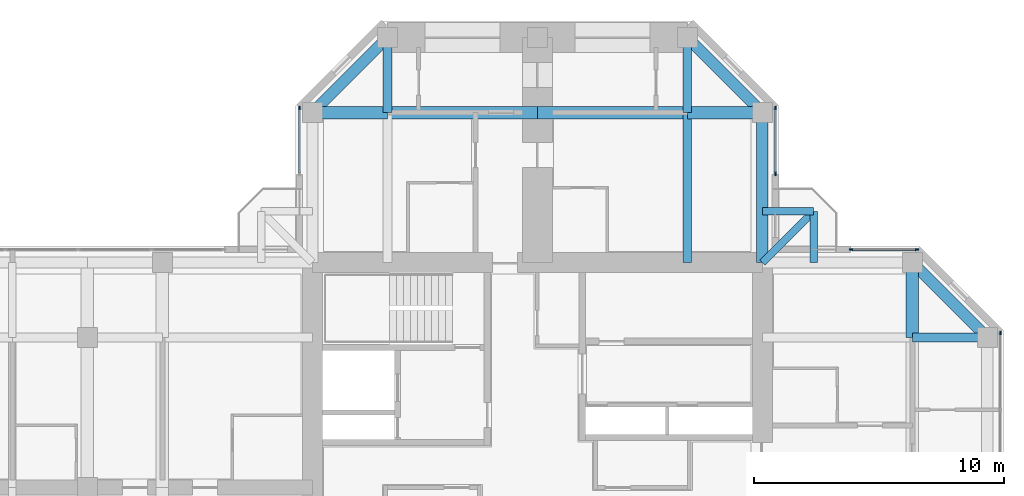
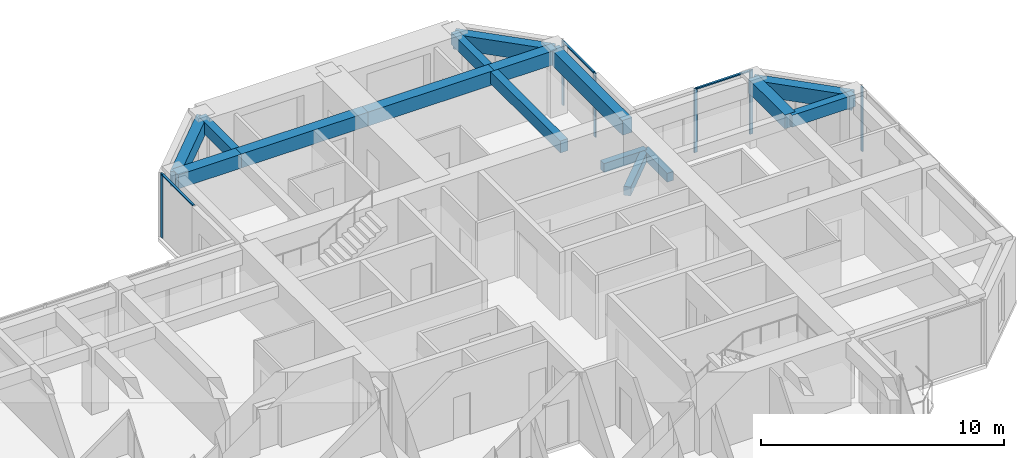
# One storey, part 6 of 14: 16 beams, 9 members, 4 elements without a shape of their own.
"""IFC4 building model written with IfcOpenShell, lengths in metres."""

from ifc_helpers import new_model, si_unit, direction, frame, origin, origin_2d, place, context, subcontext, project, spatial, rectangle, extrude, material, material_profile, profile_set, type_object, element, aggregate, save


model = new_model("IFC4")

# Units and contexts
model_context = context("Model", 3, precision=1e-05, world=origin(), true_north=direction((0.0, 1.0)))
body_context = subcontext(model_context, "Body", "Model", "MODEL_VIEW")
ifc_project = project(units=[si_unit("LENGTHUNIT", "METRE"), si_unit("AREAUNIT", "SQUARE_METRE"), si_unit("VOLUMEUNIT", "CUBIC_METRE"), si_unit("PLANEANGLEUNIT", "RADIAN"), si_unit("MASSUNIT", "GRAM", prefix="KILO")], contexts=[model_context])

# Site, building, storey
site_placement = place(None, origin())
site = spatial("IfcSite", under=ifc_project, at=site_placement, CompositionType="ELEMENT")
building_placement = place(site_placement, origin())
building = spatial("IfcBuilding", under=site, at=building_placement, Name="Torre Cruceta", CompositionType="ELEMENT")
storey_placement = place(building_placement, frame((0.0, 0.0, 225.5)))
storey = spatial("IfcBuildingStorey", under=building, at=storey_placement, Name="L57", CompositionType="ELEMENT", Elevation=225.5)

# Beams
ifc_material_1 = material(Name="Concrete G60 (fck 60 MPa)", Category="concrete")
ifc_material_profile_1 = material_profile(ifc_material_1, rectangle(XDim=0.300048828125, YDim=0.449951171875, at=origin_2d()), Name="RC 300X450")
ifc_profile_set_1 = profile_set([ifc_material_profile_1], Name="Concrete G60 (fck 60 MPa)")
beam_type_1 = type_object("IfcBeamType", Name="BALCONY CANTILEVER BEAM RC 300X450", PredefinedType="BEAM", material=ifc_profile_set_1)
beam_1_placement = place(storey_placement, frame((9.0, 9.0, -0.405029296875), z_axis=(0.707106781187, 0.707106781187, 0.0), x_axis=(-0.707106781187, 0.707106781187, 0.0)))
element("IfcBeam", 1, at=beam_1_placement, inside=storey, type_object=beam_type_1, Name="BB1 balcony beam L57 E", PredefinedType="BEAM", context=body_context, shape_type="SweptSolid", body=[
    extrude(rectangle(XDim=0.300048828125, YDim=0.449951171875, at=origin_2d()), origin(), (0.0, 0.0, 1.0), 2.89990234375),
])
for number, where, z_axis, x_axis, name in (
    (2, (11.050537109375, 9.0, -0.405029296875), (0.0, 1.0, 0.0), (-1.0, 0.0, 0.0), "BB1 balcony edge beam L57 E-X"),
    (3, (9.0, 11.050537109375, -0.405029296875), (1.0, 0.0, 0.0), (0.0, 1.0, 0.0), "BB1 balcony edge beam L57 E-Y"),
):
    element("IfcBeam", number, at=place(storey_placement, frame(where, z_axis=z_axis, x_axis=x_axis)), inside=storey, type_object=beam_type_1, Name=name, PredefinedType="BEAM", context=body_context, shape_type="SweptSolid", body=[
        extrude(rectangle(XDim=0.300048828125, YDim=0.449951171875, at=origin_2d()), origin(), (0.0, 0.0, 1.0), 2.050537109375),
    ])
ifc_material_2 = material(Name="Concrete G60 (fck 60 MPa)", Category="concrete")
ifc_material_profile_2 = material_profile(ifc_material_2, rectangle(XDim=0.35009765625, YDim=0.60009765625, at=origin_2d()), Name="RC 350X600")
ifc_profile_set_2 = profile_set([ifc_material_profile_2], Name="Concrete G60 (fck 60 MPa)")
beam_type_2 = type_object("IfcBeamType", Name="COLUMN LINE BEAM RC 350X600", PredefinedType="BEAM", material=ifc_profile_set_2)
beam_2_placement = place(storey_placement, frame((6.0, 9.0, 2.919921875), z_axis=(0.0, 1.0, 0.0), x_axis=(-1.0, 0.0, 0.0)))
element("IfcBeam", 4, at=beam_2_placement, inside=storey, type_object=beam_type_2, Name="LB9 L57 N col- 1", PredefinedType="BEAM", context=body_context, shape_type="SweptSolid", body=[
    extrude(rectangle(XDim=0.35009765625, YDim=0.60009765625, at=origin_2d()), origin(), (0.0, 0.0, 1.0), 6.0),
])
for number, where, z_axis, x_axis, name in (
    (5, (6.0, 15.0, 2.919921875), (0.0, 1.0, 0.0), (-1.0, 0.0, 0.0), "LB9 L57 N col- 2"),
    (6, (-6.0, 15.0, 2.919921875), (0.0, 1.0, 0.0), (-1.0, 0.0, 0.0), "LB9 L57 N col+ 2"),
    (7, (15.0, 6.0, 2.919921875), (1.0, 0.0, 0.0), (0.0, 1.0, 0.0), "LB9 L57 E col+ 2"),
):
    element("IfcBeam", number, at=place(storey_placement, frame(where, z_axis=z_axis, x_axis=x_axis)), inside=storey, type_object=beam_type_2, Name=name, PredefinedType="BEAM", context=body_context, shape_type="SweptSolid", body=[
        extrude(rectangle(XDim=0.35009765625, YDim=0.60009765625, at=origin_2d()), origin(), (0.0, 0.0, 1.0), 3.0),
    ])
ifc_material_3 = material(Name="Concrete G60 (fck 60 MPa)", Category="concrete")
ifc_material_profile_3 = material_profile(ifc_material_3, rectangle(XDim=0.5, YDim=0.699951171875, at=origin_2d()), Name="RC 500X700")
ifc_profile_set_3 = profile_set([ifc_material_profile_3], Name="Concrete G60 (fck 60 MPa)")
beam_type_3 = type_object("IfcBeamType", Name="CROSS BEAM RC 500X700", PredefinedType="BEAM", material=ifc_profile_set_3)
beam_3_placement = place(storey_placement, frame((9.0, 15.0, 2.8701171875), z_axis=(-1.0, 0.0, 0.0), x_axis=(0.0, -1.0, 0.0)))
element("IfcBeam", 8, at=beam_3_placement, inside=storey, type_object=beam_type_3, Name="GB7 L57 N cross15 1", PredefinedType="BEAM", context=body_context, shape_type="SweptSolid", body=[
    extrude(rectangle(XDim=0.5, YDim=0.699951171875, at=origin_2d()), origin(), (0.0, 0.0, 1.0), 3.0),
])
for number, where, z_axis, x_axis, name in (
    (9, (6.0, 15.0, 2.8701171875), (-1.0, 0.0, 0.0), (0.0, -1.0, 0.0), "GB7 L57 N cross15 2"),
    (10, (0.0, 15.0, 2.8701171875), (-1.0, 0.0, 0.0), (0.0, -1.0, 0.0), "GB7 L57 N cross15 3"),
):
    element("IfcBeam", number, at=place(storey_placement, frame(where, z_axis=z_axis, x_axis=x_axis)), inside=storey, type_object=beam_type_3, Name=name, PredefinedType="BEAM", context=body_context, shape_type="SweptSolid", body=[
        extrude(rectangle(XDim=0.5, YDim=0.699951171875, at=origin_2d()), origin(), (0.0, 0.0, 1.0), 6.0),
    ])
for number, where, z_axis, x_axis, name in (
    (11, (-6.0, 15.0, 2.8701171875), (-1.0, 0.0, 0.0), (0.0, -1.0, 0.0), "GB7 L57 N cross15 4"),
    (12, (15.0, 6.0, 2.8701171875), (0.0, 1.0, 0.0), (-1.0, 0.0, 0.0), "GB7 L57 E cross15 4"),
):
    element("IfcBeam", number, at=place(storey_placement, frame(where, z_axis=z_axis, x_axis=x_axis)), inside=storey, type_object=beam_type_3, Name=name, PredefinedType="BEAM", context=body_context, shape_type="SweptSolid", body=[
        extrude(rectangle(XDim=0.5, YDim=0.699951171875, at=origin_2d()), origin(), (0.0, 0.0, 1.0), 3.0),
    ])

# Curtain wall, member
ifc_material_4 = material(Name="Aluminium unitised curtain wall", Category="aluminium")
curtain_wall_type = type_object("IfcCurtainWallType", Name="CURTAIN WALL CW-D CO-LIVING UPPER", PredefinedType="USERDEFINED", material=ifc_material_4)
curtain_wall_1_placement = place(storey_placement, origin())
curtain_wall_1 = element("IfcCurtainWall", 13, at=curtain_wall_1_placement, inside=storey, type_object=curtain_wall_type, Name="CW-D L57 E tip 02", ObjectType="UNITISED", PredefinedType="USERDEFINED")
ifc_material_5 = material(Name="Aluminium mullion", Category="aluminium")
ifc_material_profile_4 = material_profile(ifc_material_5, rectangle(XDim=0.06005859375, YDim=0.14990234375, at=origin_2d()), Name="AL 60X150")
ifc_profile_set_4 = profile_set([ifc_material_profile_4], Name="Aluminium mullion")
member_type_1 = type_object("IfcMemberType", Name="CW-D MULLION 60X150", PredefinedType="MULLION", material=ifc_profile_set_4)
member_1_placement = place(storey_placement, frame((18.52001953125, 6.185302734375, 0.0), z_axis=(0.0, 0.0, 1.0), x_axis=(-1.0, 0.0, 0.0)))
member_1 = element("IfcMember", 14, at=member_1_placement, type_object=member_type_1, Name="CW-D mullion 5", PredefinedType="MULLION", context=body_context, shape_type="SweptSolid", body=[
    extrude(rectangle(XDim=0.06005859375, YDim=0.14990234375, at=origin_2d()), origin(), (0.0, 0.0, 1.0), 3.219970703125),
])
aggregate(curtain_wall_1, [member_1])

# Curtain wall, members
curtain_wall_2_placement = place(storey_placement, origin())
curtain_wall_2 = element("IfcCurtainWall", 15, at=curtain_wall_2_placement, inside=storey, type_object=curtain_wall_type, Name="CW-D L57 E side 04", ObjectType="UNITISED", PredefinedType="USERDEFINED")
member_2_placement = place(storey_placement, frame((15.185302734375, 9.52001953125, 0.0), z_axis=(0.0, 0.0, 1.0), x_axis=(0.0, -1.0, 0.0)))
member_2 = element("IfcMember", 16, at=member_2_placement, type_object=member_type_1, Name="CW-D mullion 1", PredefinedType="MULLION", context=body_context, shape_type="SweptSolid", body=[
    extrude(rectangle(XDim=0.06005859375, YDim=0.14990234375, at=origin_2d()), origin(), (0.0, 0.0, 1.0), 3.219970703125),
])
member_3_placement = place(storey_placement, frame((12.550048828125, 9.52001953125, 0.0), z_axis=(0.0, 0.0, 1.0), x_axis=(0.0, -1.0, 0.0)))
member_3 = element("IfcMember", 17, at=member_3_placement, type_object=member_type_1, Name="CW-D mullion 2", PredefinedType="MULLION", context=body_context, shape_type="SweptSolid", body=[
    extrude(rectangle(XDim=0.06005859375, YDim=0.14990234375, at=origin_2d()), origin(), (0.0, 0.0, 1.0), 3.219970703125),
])

curtain_wall_3_placement = place(storey_placement, origin())
curtain_wall_3 = element("IfcCurtainWall", 18, at=curtain_wall_3_placement, inside=storey, type_object=curtain_wall_type, Name="CW-D L57 N side 05", ObjectType="UNITISED", PredefinedType="USERDEFINED")
member_4_placement = place(storey_placement, frame((9.52001953125, 12.550048828125, 0.0), z_axis=(0.0, 0.0, 1.0), x_axis=(-1.0, 0.0, 0.0)))
member_4 = element("IfcMember", 19, at=member_4_placement, type_object=member_type_1, Name="CW-D mullion 1", PredefinedType="MULLION", context=body_context, shape_type="SweptSolid", body=[
    extrude(rectangle(XDim=0.06005859375, YDim=0.14990234375, at=origin_2d()), origin(), (0.0, 0.0, 1.0), 3.219970703125),
])
member_5_placement = place(storey_placement, frame((9.52001953125, 15.185302734375, 0.0), z_axis=(0.0, 0.0, 1.0), x_axis=(-1.0, 0.0, 0.0)))
member_5 = element("IfcMember", 20, at=member_5_placement, type_object=member_type_1, Name="CW-D mullion 2", PredefinedType="MULLION", context=body_context, shape_type="SweptSolid", body=[
    extrude(rectangle(XDim=0.06005859375, YDim=0.14990234375, at=origin_2d()), origin(), (0.0, 0.0, 1.0), 3.219970703125),
])

# Curtain wall, member
curtain_wall_4_placement = place(storey_placement, origin())
curtain_wall_4 = element("IfcCurtainWall", 21, at=curtain_wall_4_placement, inside=storey, type_object=curtain_wall_type, Name="CW-D L57 N side 09", ObjectType="UNITISED", PredefinedType="USERDEFINED")
member_6_placement = place(storey_placement, frame((-9.52001953125, 15.185302734375, 0.0), z_axis=(0.0, 0.0, 1.0), x_axis=(1.0, 0.0, 0.0)))
member_6 = element("IfcMember", 22, at=member_6_placement, type_object=member_type_1, Name="CW-D mullion 1", PredefinedType="MULLION", context=body_context, shape_type="SweptSolid", body=[
    extrude(rectangle(XDim=0.06005859375, YDim=0.14990234375, at=origin_2d()), origin(), (0.0, 0.0, 1.0), 3.219970703125),
])

# Member
ifc_material_6 = material(Name="Aluminium transom", Category="aluminium")
ifc_material_profile_5 = material_profile(ifc_material_6, rectangle(XDim=0.10009765625, YDim=0.06005859375, at=origin_2d()), Name="AL 100X60")
ifc_profile_set_5 = profile_set([ifc_material_profile_5], Name="Aluminium transom")
member_type_2 = type_object("IfcMemberType", Name="CW-D TRANSOM 60X100", PredefinedType="USERDEFINED", material=ifc_profile_set_5)
member_7_placement = place(storey_placement, frame((15.1552734375, 9.52001953125, 3.18994140625), z_axis=(-1.0, 0.0, 0.0), x_axis=(0.0, -1.0, 0.0)))
member_7 = element("IfcMember", 23, at=member_7_placement, type_object=member_type_2, Name="CW-D transom 1", ObjectType="TRANSOM", PredefinedType="USERDEFINED", context=body_context, shape_type="SweptSolid", body=[
    extrude(rectangle(XDim=0.10009765625, YDim=0.06005859375, at=origin_2d()), origin(), (0.0, 0.0, 1.0), 2.5751953125),
])

aggregate(curtain_wall_2, [member_2, member_3, member_7])

member_8_placement = place(storey_placement, frame((9.52001953125, 12.580078125, 3.18994140625), z_axis=(0.0, 1.0, 0.0), x_axis=(-1.0, 0.0, 0.0)))
member_8 = element("IfcMember", 24, at=member_8_placement, type_object=member_type_2, Name="CW-D transom 1", ObjectType="TRANSOM", PredefinedType="USERDEFINED", context=body_context, shape_type="SweptSolid", body=[
    extrude(rectangle(XDim=0.10009765625, YDim=0.06005859375, at=origin_2d()), origin(), (0.0, 0.0, 1.0), 2.5751953125),
])

aggregate(curtain_wall_3, [member_4, member_5, member_8])

member_9_placement = place(storey_placement, frame((-9.52001953125, 15.1552734375, 3.18994140625), z_axis=(0.0, -1.0, 0.0), x_axis=(1.0, 0.0, 0.0)))
member_9 = element("IfcMember", 25, at=member_9_placement, type_object=member_type_2, Name="CW-D transom 1", ObjectType="TRANSOM", PredefinedType="USERDEFINED", context=body_context, shape_type="SweptSolid", body=[
    extrude(rectangle(XDim=0.10009765625, YDim=0.06005859375, at=origin_2d()), origin(), (0.0, 0.0, 1.0), 2.5751953125),
])

aggregate(curtain_wall_4, [member_6, member_9])

# Beams
ifc_material_7 = material(Name="Concrete G60 (fck 60 MPa)", Category="concrete")
ifc_material_profile_6 = material_profile(ifc_material_7, rectangle(XDim=0.449951171875, YDim=0.75, at=origin_2d()), Name="RC 450X750")
ifc_profile_set_6 = profile_set([ifc_material_profile_6], Name="Concrete G60 (fck 60 MPa)")
beam_type_4 = type_object("IfcBeamType", Name="SPANDREL BEAM RC 450X750", PredefinedType="SPANDREL", material=ifc_profile_set_6)
beam_4_placement = place(storey_placement, frame((9.0, 9.0, 2.844970703125), z_axis=(0.0, 1.0, 0.0), x_axis=(-1.0, 0.0, 0.0)))
element("IfcBeam", 26, at=beam_4_placement, inside=storey, type_object=beam_type_4, Name="SB7 L57 N side- 1", PredefinedType="SPANDREL", context=body_context, shape_type="SweptSolid", body=[
    extrude(rectangle(XDim=0.449951171875, YDim=0.75, at=origin_2d()), origin(), (0.0, 0.0, 1.0), 6.0),
])
for number, where, z_axis, x_axis, name in (
    (27, (9.0, 15.0, 2.844970703125), (-0.707106781187, 0.707106781187, 0.0), (-0.707106781187, -0.707106781187, 0.0), "SB7 L57 N side- 2"),
    (28, (-9.0, 15.0, 2.844970703125), (0.707106781187, 0.707106781187, 0.0), (-0.707106781187, 0.707106781187, 0.0), "SB7 L57 N side+ 2"),
    (29, (15.0, 9.0, 2.844970703125), (0.707106781187, -0.707106781187, 0.0), (0.707106781187, 0.707106781187, 0.0), "SB7 L57 E side+ 2"),
):
    element("IfcBeam", number, at=place(storey_placement, frame(where, z_axis=z_axis, x_axis=x_axis)), inside=storey, type_object=beam_type_4, Name=name, PredefinedType="SPANDREL", context=body_context, shape_type="SweptSolid", body=[
        extrude(rectangle(XDim=0.449951171875, YDim=0.75, at=origin_2d()), origin(), (0.0, 0.0, 1.0), 4.24267578125),
    ])

save(model, "model.ifc")
